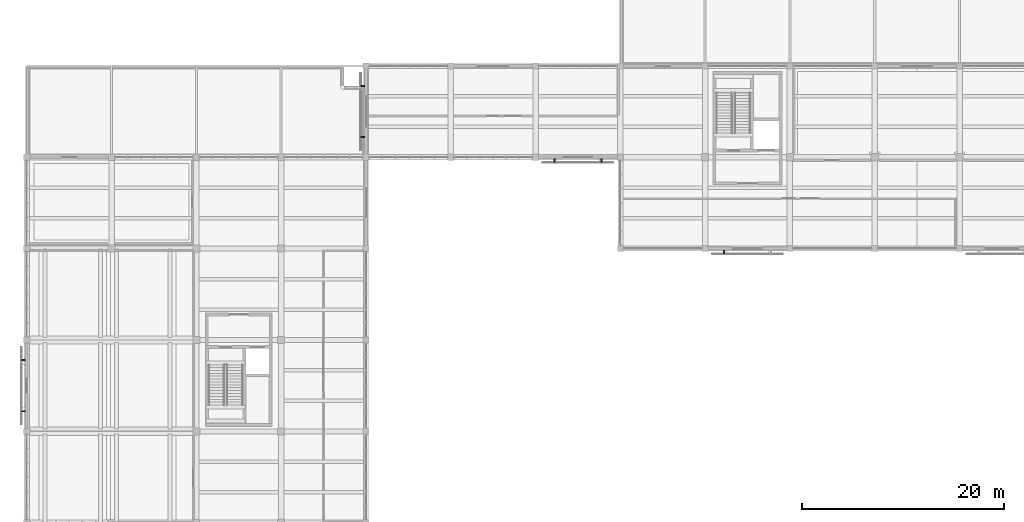
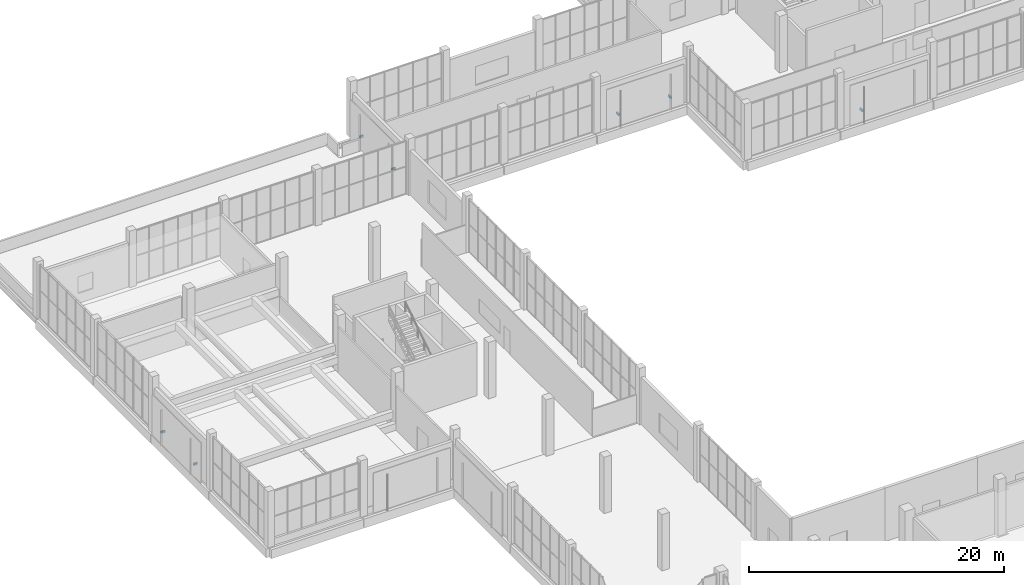
# One storey, part 122 of 132: 7 discrete accessories.
"""IFC4 building model written with IfcOpenShell, lengths in metres."""

from ifc_helpers import new_model, si_unit, direction, frame, origin, origin_2d, place, context, subcontext, project, spatial, rectangle, extrude, material, type_object, element, save


model = new_model("IFC4")

# Units and contexts
model_context = context("Model", 3, precision=1e-05, world=origin(), true_north=direction((0.0, 1.0)))
body_context = subcontext(model_context, "Body", "Model", "MODEL_VIEW")
ifc_project = project(units=[si_unit("LENGTHUNIT", "METRE"), si_unit("AREAUNIT", "SQUARE_METRE"), si_unit("VOLUMEUNIT", "CUBIC_METRE"), si_unit("PLANEANGLEUNIT", "RADIAN"), si_unit("MASSUNIT", "GRAM", prefix="KILO")], contexts=[model_context])

# Site, building, storey
site_placement = place(None, origin())
site = spatial("IfcSite", under=ifc_project, at=site_placement, CompositionType="ELEMENT")
building_placement = place(site_placement, origin())
building = spatial("IfcBuilding", under=site, at=building_placement, Name="Khurvash Pelagic Aquarium", CompositionType="ELEMENT")
storey_placement = place(building_placement, frame((0.0, 0.0, 5.39990234375)))
storey = spatial("IfcBuildingStorey", under=building, at=storey_placement, Name="L01", CompositionType="ELEMENT", Elevation=5.39990234375)

# Discrete accessories
ifc_material = material(Name="Hot-dip galvanised steel S355J2", Category="steel")
discrete_accessory_type = type_object("IfcDiscreteAccessoryType", Name="BK-01", PredefinedType="BRACKET", material=ifc_material)
for number, where, z_axis, x_axis, name in (
    (1, (33.284912109375, 100.156982421875, 1.1103515625), (0.0, 0.0, 1.0), (0.0, -1.0, 0.0), "L01 Jali Screen Support Bracket BK-01 0009"),
    (2, (33.284912109375, 95.093017578125, 1.1103515625), (0.0, 0.0, 1.0), (0.0, -1.0, 0.0), "L01 Jali Screen Support Bracket BK-01 0010"),
    (3, (-0.31494140625, 73.007080078125, 1.1103515625), (0.0, 0.0, 1.0), (0.0, -1.0, 0.0), "L01 Jali Screen Support Bracket BK-01 0011"),
    (4, (-0.31494140625, 67.943115234375, 1.1103515625), (0.0, 0.0, 1.0), (0.0, -1.0, 0.0), "L01 Jali Screen Support Bracket BK-01 0012"),
    (5, (52.262939453125, 92.784912109375, 1.1103515625), (0.0, 0.0, 1.0), (1.0, 0.0, 0.0), "L01 Jali Screen Support Bracket BK-01 0017"),
    (6, (56.93701171875, 92.784912109375, 1.1103515625), (0.0, 0.0, 1.0), (1.0, 0.0, 0.0), "L01 Jali Screen Support Bracket BK-01 0018"),
    (7, (69.06298828125, 83.735107421875, 1.1103515625), (0.0, 0.0, 1.0), (1.0, 0.0, 0.0), "L01 Jali Screen Support Bracket BK-01 0019"),
):
    element("IfcDiscreteAccessory", number, at=place(storey_placement, frame(where, z_axis=z_axis, x_axis=x_axis)), inside=storey, type_object=discrete_accessory_type, Name=name, PredefinedType="BRACKET", context=body_context, shape_type="SweptSolid", body=[
        extrude(rectangle(XDim=0.139892578125, YDim=0.35009765625, at=origin_2d()), origin(), (0.0, 0.0, 1.0), 0.179931640625),
    ])

save(model, "model.ifc")
